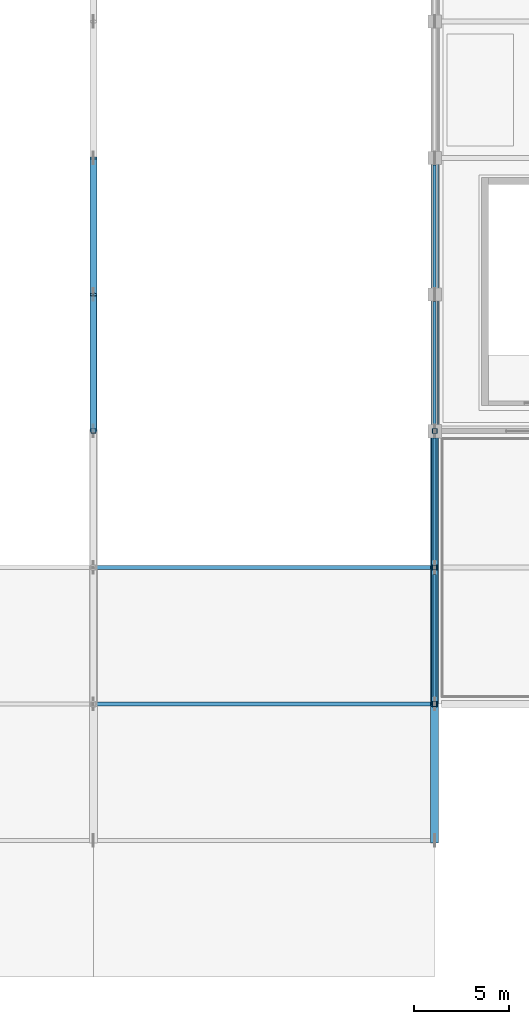
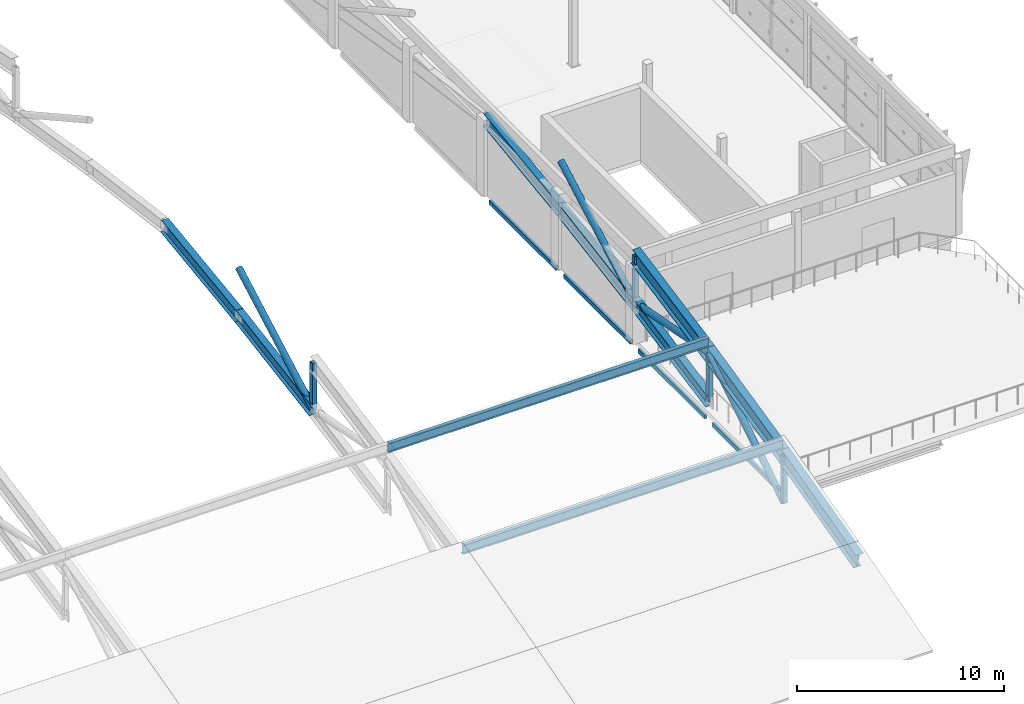
# One storey, part 22 of 124: 18 members, 4 beams.
"""IFC4 building model written with IfcOpenShell, lengths in metres."""

from ifc_helpers import new_model, si_unit, direction, frame, origin, origin_2d, place, context, subcontext, project, spatial, hollow_rectangle, hollow_circle, i_section, extrude, material, material_profile, profile_set, type_object, element, save


model = new_model("IFC4")

# Units and contexts
model_context = context("Model", 3, precision=1e-05, world=origin(), true_north=direction((0.0, 1.0)))
body_context = subcontext(model_context, "Body", "Model", "MODEL_VIEW")
ifc_project = project(units=[si_unit("LENGTHUNIT", "METRE"), si_unit("AREAUNIT", "SQUARE_METRE"), si_unit("VOLUMEUNIT", "CUBIC_METRE"), si_unit("PLANEANGLEUNIT", "RADIAN"), si_unit("MASSUNIT", "GRAM", prefix="KILO")], contexts=[model_context])

# Site, building, storey
site_placement = place(None, origin())
site = spatial("IfcSite", under=ifc_project, at=site_placement, CompositionType="ELEMENT")
building_placement = place(site_placement, origin())
building = spatial("IfcBuilding", under=site, at=building_placement, Name="Celestram Park Convention Centre", CompositionType="ELEMENT")
storey_placement = place(building_placement, frame((0.0, 0.0, 15.300048828125)))
storey = spatial("IfcBuildingStorey", under=building, at=storey_placement, Name="L03", CompositionType="ELEMENT", Elevation=15.300048828125)

# Members
ifc_material_1 = material(Name="Steel ASTM A500 Grade C", Category="steel")
ifc_material_profile_1 = material_profile(ifc_material_1, hollow_circle(Radius=0.177978515625, WallThickness=0.011962890625, at=origin_2d()), Name="CHS356X12")
ifc_profile_set_1 = profile_set([ifc_material_profile_1], Name="Steel ASTM A500 Grade C")
member_type_1 = type_object("IfcMemberType", Name="STR-BRC-CHS356", PredefinedType="BRACE", material=ifc_profile_set_1)
member_1_placement = place(storey_placement, frame((108.0, 50.39990234375, 2.181640625), z_axis=(0.0, 0.874754026429, 0.484567222629), x_axis=(-1.0, 0.0, 0.0)))
element("IfcMember", 1, at=member_1_placement, inside=storey, type_object=member_type_1, Name="V1 arch web diagonal", PredefinedType="BRACE", context=body_context, shape_type="SweptSolid", body=[
    extrude(hollow_circle(Radius=0.177978515625, WallThickness=0.011962890625, at=origin_2d()), origin(), (0.0, 0.0, 1.0), 8.231201171875),
])
member_2_placement = place(storey_placement, frame((126.0, 36.0, -0.884765625), z_axis=(0.0, 0.850733884049, 0.525596669064), x_axis=(-1.0, 0.0, 0.0)))
element("IfcMember", 2, at=member_2_placement, inside=storey, type_object=member_type_1, Name="V1 arch web diagonal", PredefinedType="BRACE", context=body_context, shape_type="SweptSolid", body=[
    extrude(hollow_circle(Radius=0.177978515625, WallThickness=0.011962890625, at=origin_2d()), origin(), (0.0, 0.0, 1.0), 8.463134765625),
])
member_3_placement = place(storey_placement, frame((126.0, 43.199951171875, 3.5634765625), z_axis=(0.0, 0.982076449011, -0.188483018595), x_axis=(-1.0, 0.0, 0.0)))
element("IfcMember", 3, at=member_3_placement, inside=storey, type_object=member_type_1, Name="V1 arch web diagonal", PredefinedType="BRACE", context=body_context, shape_type="SweptSolid", body=[
    extrude(hollow_circle(Radius=0.177978515625, WallThickness=0.011962890625, at=origin_2d()), origin(), (0.0, 0.0, 1.0), 7.331298828125),
])
member_4_placement = place(storey_placement, frame((126.0, 50.39990234375, 2.181640625), z_axis=(0.0, 0.874754026429, 0.484567222629), x_axis=(-1.0, 0.0, 0.0)))
element("IfcMember", 4, at=member_4_placement, inside=storey, type_object=member_type_1, Name="V1 arch web diagonal", PredefinedType="BRACE", context=body_context, shape_type="SweptSolid", body=[
    extrude(hollow_circle(Radius=0.177978515625, WallThickness=0.011962890625, at=origin_2d()), origin(), (0.0, 0.0, 1.0), 8.231201171875),
])
ifc_material_2 = material(Name="Steel ASTM A992 Grade 50", Category="steel")
ifc_material_profile_2 = material_profile(ifc_material_2, i_section(OverallWidth=0.381103515625, OverallDepth=0.77197265625, WebThickness=0.0166015625, FlangeThickness=0.027099609375, at=origin_2d()), Name="W30X173")
ifc_profile_set_2 = profile_set([ifc_material_profile_2], Name="Steel ASTM A992 Grade 50")
member_type_2 = type_object("IfcMemberType", Name="STR-CHD-W30X173", PredefinedType="CHORD", material=ifc_profile_set_2)
member_5_placement = place(storey_placement, frame((108.0, 50.39990234375, 2.181640625), z_axis=(0.0, 0.986649508872, 0.162858056734), x_axis=(-1.0, 0.0, 0.0)))
element("IfcMember", 5, at=member_5_placement, inside=storey, type_object=member_type_2, Name="V1 arch bottom chord", PredefinedType="CHORD", context=body_context, shape_type="SweptSolid", body=[
    extrude(i_section(OverallWidth=0.381103515625, OverallDepth=0.77197265625, WebThickness=0.0166015625, FlangeThickness=0.027099609375, at=origin_2d()), origin(), (0.0, 0.0, 1.0), 7.297607421875),
])
member_6_placement = place(storey_placement, frame((108.0, 57.60009765625, 3.3701171875), z_axis=(0.0, 0.991259283276, 0.131928136952), x_axis=(-1.0, 0.0, 0.0)))
element("IfcMember", 6, at=member_6_placement, inside=storey, type_object=member_type_2, Name="V1 arch bottom chord", PredefinedType="CHORD", context=body_context, shape_type="SweptSolid", body=[
    extrude(i_section(OverallWidth=0.381103515625, OverallDepth=0.77197265625, WebThickness=0.0166015625, FlangeThickness=0.027099609375, at=origin_2d()), origin(), (0.0, 0.0, 1.0), 7.263427734375),
])
member_7_placement = place(storey_placement, frame((126.0, 43.199951171875, 0.763427734375), z_axis=(0.0, 0.981147221646, 0.193261815827), x_axis=(-1.0, 0.0, 0.0)))
element("IfcMember", 7, at=member_7_placement, inside=storey, type_object=member_type_2, Name="V1 arch bottom chord", PredefinedType="CHORD", context=body_context, shape_type="SweptSolid", body=[
    extrude(i_section(OverallWidth=0.381103515625, OverallDepth=0.77197265625, WebThickness=0.0166015625, FlangeThickness=0.027099609375, at=origin_2d()), origin(), (0.0, 0.0, 1.0), 7.33837890625),
])
member_8_placement = place(storey_placement, frame((126.0, 50.39990234375, 2.181640625), z_axis=(0.0, 0.986649508872, 0.162858056734), x_axis=(-1.0, 0.0, 0.0)))
element("IfcMember", 8, at=member_8_placement, inside=storey, type_object=member_type_2, Name="V1 arch bottom chord", PredefinedType="CHORD", context=body_context, shape_type="SweptSolid", body=[
    extrude(i_section(OverallWidth=0.381103515625, OverallDepth=0.77197265625, WebThickness=0.0166015625, FlangeThickness=0.027099609375, at=origin_2d()), origin(), (0.0, 0.0, 1.0), 7.297607421875),
])
member_9_placement = place(storey_placement, frame((126.0, 57.60009765625, 3.3701171875), z_axis=(0.0, 0.991259283276, 0.131928136952), x_axis=(-1.0, 0.0, 0.0)))
element("IfcMember", 9, at=member_9_placement, inside=storey, type_object=member_type_2, Name="V1 arch bottom chord", PredefinedType="CHORD", context=body_context, shape_type="SweptSolid", body=[
    extrude(i_section(OverallWidth=0.381103515625, OverallDepth=0.77197265625, WebThickness=0.0166015625, FlangeThickness=0.027099609375, at=origin_2d()), origin(), (0.0, 0.0, 1.0), 7.263427734375),
])
ifc_material_profile_3 = material_profile(ifc_material_2, i_section(OverallWidth=0.4189453125, OverallDepth=0.927001953125, WebThickness=0.019287109375, FlangeThickness=0.031982421875, at=origin_2d()), Name="W36X231")
ifc_profile_set_3 = profile_set([ifc_material_profile_3], Name="Steel ASTM A992 Grade 50")
member_type_3 = type_object("IfcMemberType", Name="STR-CHD-W36X231", PredefinedType="CHORD", material=ifc_profile_set_3)
member_10_placement = place(storey_placement, frame((126.0, 28.800048828125, 0.036865234375), z_axis=(0.0, 0.967619711376, 0.252412547544), x_axis=(-1.0, 0.0, 0.0)))
element("IfcMember", 10, at=member_10_placement, inside=storey, type_object=member_type_3, Name="V1 arch top chord", PredefinedType="CHORD", context=body_context, shape_type="SweptSolid", body=[
    extrude(i_section(OverallWidth=0.4189453125, OverallDepth=0.927001953125, WebThickness=0.019287109375, FlangeThickness=0.031982421875, at=origin_2d()), origin(), (0.0, 0.0, 1.0), 7.44091796875),
])
member_11_placement = place(storey_placement, frame((126.0, 36.0, 1.9150390625), z_axis=(0.0, 0.974778027662, 0.223176604482), x_axis=(-1.0, 0.0, 0.0)))
element("IfcMember", 11, at=member_11_placement, inside=storey, type_object=member_type_3, Name="V1 arch top chord", PredefinedType="CHORD", context=body_context, shape_type="SweptSolid", body=[
    extrude(i_section(OverallWidth=0.4189453125, OverallDepth=0.927001953125, WebThickness=0.019287109375, FlangeThickness=0.031982421875, at=origin_2d()), origin(), (0.0, 0.0, 1.0), 7.38623046875),
])
member_12_placement = place(storey_placement, frame((126.0, 43.199951171875, 3.5634765625), z_axis=(0.0, 0.981147221646, 0.193261815827), x_axis=(-1.0, 0.0, 0.0)))
element("IfcMember", 12, at=member_12_placement, inside=storey, type_object=member_type_3, Name="V1 arch top chord", PredefinedType="CHORD", context=body_context, shape_type="SweptSolid", body=[
    extrude(i_section(OverallWidth=0.4189453125, OverallDepth=0.927001953125, WebThickness=0.019287109375, FlangeThickness=0.031982421875, at=origin_2d()), origin(), (0.0, 0.0, 1.0), 7.33837890625),
])
ifc_material_profile_4 = material_profile(ifc_material_2, i_section(OverallWidth=0.2099609375, OverallDepth=0.532958984375, WebThickness=0.01025390625, FlangeThickness=0.015625, at=origin_2d()), Name="W21X62")
ifc_profile_set_4 = profile_set([ifc_material_profile_4], Name="Steel ASTM A992 Grade 50")
member_type_4 = type_object("IfcMemberType", Name="STR-RFT-W21X62", PredefinedType="RAFTER", material=ifc_profile_set_4)
for number, where, z_axis, x_axis, name in (
    (13, (108.0, 36.0, 2.645263671875), (1.0, 0.0, 0.0), (0.0, 1.0, 0.0), "V1 roof purlin"),
    (14, (108.0, 43.199951171875, 4.29345703125), (1.0, 0.0, 0.0), (0.0, 1.0, 0.0), "V1 roof purlin"),
):
    element("IfcMember", number, at=place(storey_placement, frame(where, z_axis=z_axis, x_axis=x_axis)), inside=storey, type_object=member_type_4, Name=name, PredefinedType="RAFTER", context=body_context, shape_type="SweptSolid", body=[
        extrude(i_section(OverallWidth=0.2099609375, OverallDepth=0.532958984375, WebThickness=0.01025390625, FlangeThickness=0.015625, at=origin_2d()), origin(), (0.0, 0.0, 1.0), 17.919921875),
    ])

# Beams
ifc_material_profile_5 = material_profile(ifc_material_1, hollow_rectangle(XDim=0.14990234375, YDim=0.25, WallThickness=0.010009765625, at=origin_2d()), Name="HSS250X150X10")
ifc_profile_set_5 = profile_set([ifc_material_profile_5], Name="Steel ASTM A500 Grade C")
beam_type = type_object("IfcBeamType", Name="STR-SPN-HSS250X150", PredefinedType="SPANDREL", material=ifc_profile_set_5)
beam_placement = place(storey_placement, frame((126.0, 36.373046875, -0.425048828125), z_axis=(0.0, 1.0, 0.0), x_axis=(-1.0, 0.0, 0.0)))
element("IfcBeam", 15, at=beam_placement, inside=storey, type_object=beam_type, Name="Primary Y-girder BG-L03-0148", PredefinedType="SPANDREL", context=body_context, shape_type="SweptSolid", body=[
    extrude(hollow_rectangle(XDim=0.14990234375, YDim=0.25, WallThickness=0.010009765625, at=origin_2d()), origin(), (0.0, 0.0, 1.0), 6.453857421875),
])
for number, where, z_axis, x_axis, name in (
    (16, (126.0, 43.572998046875, -0.425048828125), (0.0, 1.0, 0.0), (-1.0, 0.0, 0.0), "Primary Y-girder BG-L03-0150"),
    (17, (126.0, 50.77294921875, -0.375), (0.0, 1.0, 0.0), (-1.0, 0.0, 0.0), "Primary Y-girder BG-L03-0152"),
    (18, (126.0, 57.972900390625, -0.375), (0.0, 1.0, 0.0), (-1.0, 0.0, 0.0), "Primary Y-girder BG-L03-0153"),
):
    element("IfcBeam", number, at=place(storey_placement, frame(where, z_axis=z_axis, x_axis=x_axis)), inside=storey, type_object=beam_type, Name=name, PredefinedType="SPANDREL", context=body_context, shape_type="SweptSolid", body=[
        extrude(hollow_rectangle(XDim=0.14990234375, YDim=0.25, WallThickness=0.010009765625, at=origin_2d()), origin(), (0.0, 0.0, 1.0), 6.4541015625),
    ])

# Members
ifc_material_profile_6 = material_profile(ifc_material_1, hollow_rectangle(XDim=0.25, YDim=0.25, WallThickness=0.011962890625, at=origin_2d()), Name="HSS250X250X12")
ifc_profile_set_6 = profile_set([ifc_material_profile_6], Name="Steel ASTM A500 Grade C")
member_type_5 = type_object("IfcMemberType", Name="STR-STR-HSS250", PredefinedType="STRUT", material=ifc_profile_set_6)
member_13_placement = place(storey_placement, frame((108.0, 50.39990234375, 2.181640625), z_axis=(0.0, 0.0, 1.0), x_axis=(1.0, 0.0, 0.0)))
element("IfcMember", 19, at=member_13_placement, inside=storey, type_object=member_type_5, Name="V1 arch vertical strut", PredefinedType="STRUT", context=body_context, shape_type="SweptSolid", body=[
    extrude(hollow_rectangle(XDim=0.25, YDim=0.25, WallThickness=0.011962890625, at=origin_2d()), origin(), (0.0, 0.0, 1.0), 2.800048828125),
])
member_14_placement = place(storey_placement, frame((126.0, 36.0, -0.884765625), z_axis=(0.0, 0.0, 1.0), x_axis=(1.0, 0.0, 0.0)))
element("IfcMember", 20, at=member_14_placement, inside=storey, type_object=member_type_5, Name="V1 arch vertical strut", PredefinedType="STRUT", context=body_context, shape_type="SweptSolid", body=[
    extrude(hollow_rectangle(XDim=0.25, YDim=0.25, WallThickness=0.011962890625, at=origin_2d()), origin(), (0.0, 0.0, 1.0), 2.7998046875),
])
for number, where, z_axis, x_axis, name in (
    (21, (126.0, 43.199951171875, 0.763427734375), (0.0, 0.0, 1.0), (1.0, 0.0, 0.0), "V1 arch vertical strut"),
    (22, (126.0, 50.39990234375, 2.181640625), (0.0, 0.0, 1.0), (1.0, 0.0, 0.0), "V1 arch vertical strut"),
):
    element("IfcMember", number, at=place(storey_placement, frame(where, z_axis=z_axis, x_axis=x_axis)), inside=storey, type_object=member_type_5, Name=name, PredefinedType="STRUT", context=body_context, shape_type="SweptSolid", body=[
        extrude(hollow_rectangle(XDim=0.25, YDim=0.25, WallThickness=0.011962890625, at=origin_2d()), origin(), (0.0, 0.0, 1.0), 2.800048828125),
    ])

save(model, "model.ifc")
